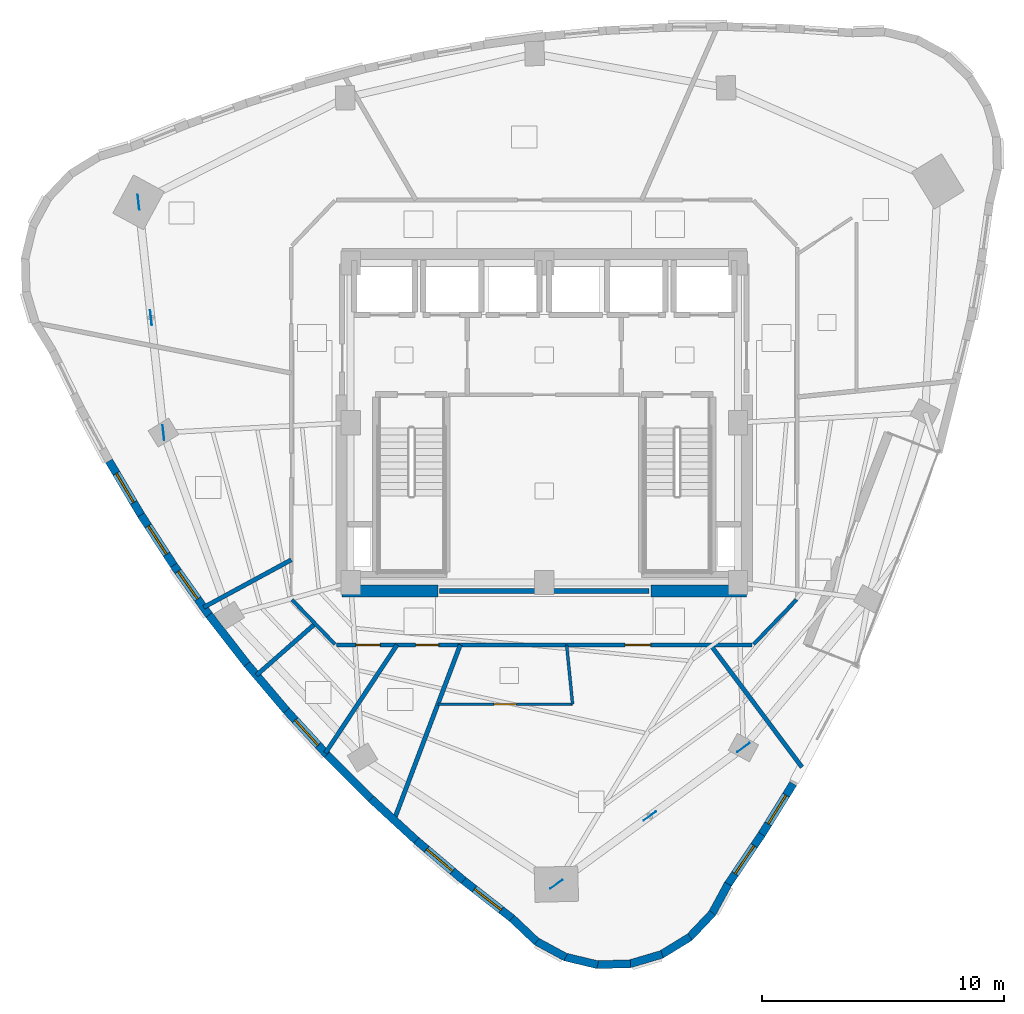
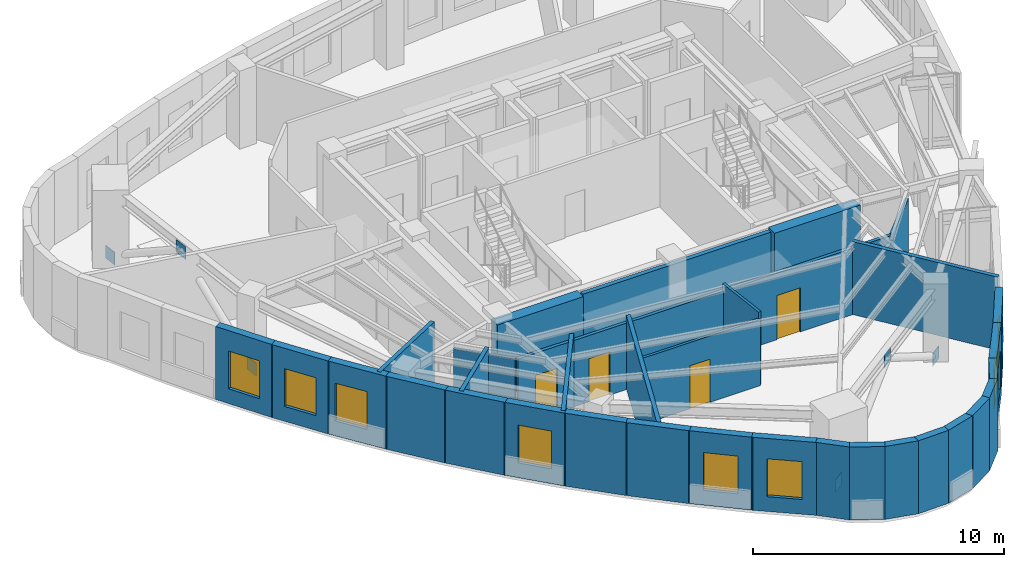
# One storey, part 4 of 10: 33 walls, 8 windows, 6 plates, 4 doors, 12 openings.
"""IFC4 building model written with IfcOpenShell, lengths in metres."""

from ifc_helpers import new_model, si_unit, direction, frame, frame_2d, origin, origin_2d, place, context, subcontext, project, spatial, rectangle, extrude, material, layer, layer_set, type_object, element, fill, save


model = new_model("IFC4")

# Units and contexts
model_context = context("Model", 3, precision=1e-05, world=origin(), true_north=direction((0.0, 1.0)))
body_context = subcontext(model_context, "Body", "Model", "MODEL_VIEW")
ifc_project = project(units=[si_unit("LENGTHUNIT", "METRE"), si_unit("AREAUNIT", "SQUARE_METRE"), si_unit("VOLUMEUNIT", "CUBIC_METRE"), si_unit("PLANEANGLEUNIT", "RADIAN"), si_unit("MASSUNIT", "GRAM", prefix="KILO")], contexts=[model_context])

# Site, building, storey
site_placement = place(None, origin())
site = spatial("IfcSite", under=ifc_project, at=site_placement, CompositionType="ELEMENT")
building_placement = place(site_placement, origin())
building = spatial("IfcBuilding", under=site, at=building_placement, Name="Ndelora Gate Hotel", CompositionType="ELEMENT")
storey_placement = place(building_placement, frame((0.0, 0.0, 243.550048828125)))
storey = spatial("IfcBuildingStorey", under=building, at=storey_placement, Name="L61", CompositionType="ELEMENT", Elevation=243.550048828125)

# Plates
ifc_material_1 = material(Name="Steel S355", Category="steel")
ifc_layer_1 = layer(ifc_material_1, 0.02001953125)
ifc_layer_set_1 = layer_set([ifc_layer_1], Name="Steel S355")
plate_type = type_object("IfcPlateType", Name="PL-NODE-VN1", PredefinedType="USERDEFINED", material=ifc_layer_set_1)
for number, where, z_axis, x_axis, name in (
    (1, (-16.759521484375, 9.099609375, -0.2900390625), (0.0, 0.0, 1.0), (-0.107652324982, 0.994188602291, 0.0), "Node gusset cap plate VN1"),
    (2, (-15.72998046875, -0.411865234375, -0.2900390625), (0.0, 0.0, 1.0), (-0.107652324982, 0.994188602291, 0.0), "Node gusset cap plate VN1"),
    (3, (-16.24462890625, 4.343994140625, 2.68994140625), (0.0, 0.0, 1.0), (-0.107652324982, 0.994188602291, 0.0), "Node gusset cap plate VN1"),
    (4, (0.499267578125, -19.064208984375, -0.2900390625), (0.0, 0.0, 1.0), (0.807475405485, 0.589901237104, 0.0), "Node gusset cap plate VN1"),
    (5, (8.223876953125, -13.419921875, -0.2900390625), (0.0, 0.0, 1.0), (0.807475405485, 0.589901237104, 0.0), "Node gusset cap plate VN1"),
    (6, (4.361572265625, -16.241943359375, 2.68994140625), (0.0, 0.0, 1.0), (0.807475405485, 0.589901237104, 0.0), "Node gusset cap plate VN1"),
):
    element("IfcPlate", number, at=place(storey_placement, frame(where, z_axis=z_axis, x_axis=x_axis)), inside=storey, type_object=plate_type, Name=name, ObjectType="GUSSET_PLATE", PredefinedType="USERDEFINED", context=body_context, shape_type="SweptSolid", body=[
        extrude(rectangle(XDim=0.6201171875, YDim=0.02001953125, at=origin_2d()), origin(), (0.0, 0.0, 1.0), 0.6201171875),
    ])

# Walls
ifc_material_2 = material(Name="Acoustic Double-Stud Gypsum Assembly", Category="gypsum")
ifc_layer_2 = layer(ifc_material_2, 0.179931640625)
ifc_layer_set_2 = layer_set([ifc_layer_2], Name="Acoustic Double-Stud Gypsum Assembly")
wall_type_1 = type_object("IfcWallType", Name="WL-ACOUST-180", PredefinedType="PARTITIONING", material=ifc_layer_set_2)
wall_1_placement = place(storey_placement, frame((-3.470458984375, -9.179931640625, 0.0), z_axis=(0.0, 0.0, 1.0), x_axis=(-0.353618010817, -0.935389919994, 0.0)))
element("IfcWall", 7, at=wall_1_placement, inside=storey, type_object=wall_type_1, Name="L61 Interior Wall IW-3", PredefinedType="PARTITIONING", context=body_context, shape_type="SweptSolid", body=[
    extrude(rectangle(XDim=7.72900390625, YDim=0.179931640625, at=frame_2d((3.864501953125, 0.0))), origin(), (0.0, 0.0, 1.0), 3.550048828125),
])
wall_2_placement = place(storey_placement, frame((6.866943359375, -9.179931640625, 0.0), z_axis=(0.0, 0.0, 1.0), x_axis=(0.598983265995, -0.800761541945, 0.0)))
element("IfcWall", 8, at=wall_2_placement, inside=storey, type_object=wall_type_1, Name="L61 Interior Wall IW-3", PredefinedType="PARTITIONING", context=body_context, shape_type="SweptSolid", body=[
    extrude(rectangle(XDim=6.3037109375, YDim=0.179931640625, at=frame_2d((3.15185546875, 0.0))), origin(), (0.0, 0.0, 1.0), 3.550048828125),
])
wall_3_placement = place(storey_placement, frame((-10.449951171875, -5.665283203125, 0.0), z_axis=(0.0, 0.0, 1.0), x_axis=(-0.879154356789, -0.476537109718, 0.0)))
element("IfcWall", 9, at=wall_3_placement, inside=storey, type_object=wall_type_1, Name="L61 Interior Wall IW-3", PredefinedType="PARTITIONING", context=body_context, shape_type="SweptSolid", body=[
    extrude(rectangle(XDim=4.11865234375, YDim=0.179931640625, at=frame_2d((2.059326171875, 0.0))), origin(), (0.0, 0.0, 1.0), 3.550048828125),
])
wall_4_placement = place(storey_placement, frame((-9.464111328125, -8.3037109375, 0.0), z_axis=(0.0, 0.0, 1.0), x_axis=(-0.751698496635, -0.659506914411, 0.0)))
element("IfcWall", 10, at=wall_4_placement, inside=storey, type_object=wall_type_1, Name="L61 Interior Wall IW-3", PredefinedType="PARTITIONING", context=body_context, shape_type="SweptSolid", body=[
    extrude(rectangle(XDim=3.222900390625, YDim=0.179931640625, at=frame_2d((1.611328125, 0.0))), origin(), (0.0, 0.0, 1.0), 3.550048828125),
])
wall_5_placement = place(storey_placement, frame((-6.081787109375, -9.179931640625, 0.0), z_axis=(0.0, 0.0, 1.0), x_axis=(-0.552266974528, -0.833667313048, 0.0)))
element("IfcWall", 11, at=wall_5_placement, inside=storey, type_object=wall_type_1, Name="L61 Interior Wall IW-3", PredefinedType="PARTITIONING", context=body_context, shape_type="SweptSolid", body=[
    extrude(rectangle(XDim=5.35400390625, YDim=0.179931640625, at=frame_2d((2.677001953125, 0.0))), origin(), (0.0, 0.0, 1.0), 3.550048828125),
])

# Wall, opening, window
ifc_material_3 = material(Name="Clay Brick Masonry", Category="masonry")
ifc_layer_3 = layer(ifc_material_3, 0.330078125)
ifc_layer_set_3 = layer_set([ifc_layer_3], Name="Clay Brick Masonry")
wall_type_2 = type_object("IfcWallType", Name="WL-BRICK-330", PredefinedType="SOLIDWALL", material=ifc_layer_set_3)
wall_6_placement = place(storey_placement, frame((-16.6572265625, -3.809814453125, 0.0), z_axis=(0.0, 0.0, 1.0), x_axis=(-0.509737856677, 0.860329772512, 0.0)))
wall_6 = element("IfcWall", 12, at=wall_6_placement, inside=storey, type_object=wall_type_2, Name="L61 Tower Brick Pier-and-Spandrel Wall TWR-11", PredefinedType="SOLIDWALL", context=body_context, shape_type="SweptSolid", body=[
    extrude(rectangle(XDim=2.592529296875, YDim=0.330078125, at=frame_2d((1.29638671875, 0.0))), origin(), (0.0, 0.0, 1.0), 3.550048828125),
])
opening_1_placement = place(wall_6_placement, frame((0.59619140625, 0.0, 0.719970703125)))
opening_1 = element("IfcOpeningElement", 13, at=opening_1_placement, cuts=wall_6, Name="Opening W02", PredefinedType="OPENING", context=body_context, shape_type="SweptSolid", body=[
    extrude(rectangle(XDim=1.39990234375, YDim=1.840087890625, at=frame_2d((0.699951171875, 0.919921875))), frame((0.0, 0.175048828125, 0.0), z_axis=(0.0, -1.0, 0.0), x_axis=(1.0, 0.0, 0.0)), (0.0, 0.0, 1.0), 0.35009765625),
])
ifc_material_4 = material(Name="Insulated Low-E Double Glazing in Bronze Aluminium Frame", Category="aluminium")
window_type = type_object("IfcWindowType", Name="WN-DEEP-1400", PartitioningType="SINGLE_PANEL", PredefinedType="WINDOW", material=ifc_material_4)
window_1_placement = place(opening_1_placement, origin())
window_1 = element("IfcWindow", 14, at=window_1_placement, inside=storey, type_object=window_type, Name="L61 Deep-Set Brick-Pier Window W02", OverallHeight=1.840087890625, OverallWidth=1.39990234375, PartitioningType="SINGLE_PANEL", PredefinedType="WINDOW", context=body_context, shape_type="SweptSolid", body=[
    extrude(rectangle(XDim=1.39990234375, YDim=1.840087890625, at=frame_2d((0.699951171875, 0.919921875))), frame((0.0, 0.030029296875, 0.0), z_axis=(0.0, -1.0, 0.0), x_axis=(1.0, 0.0, 0.0)), (0.0, 0.0, 1.0), 0.06005859375),
])
fill(opening_1, window_1)

wall_7_placement = place(storey_placement, frame((-15.2783203125, -5.930419921875, 0.0), z_axis=(0.0, 0.0, 1.0), x_axis=(-0.544788727903, 0.838573337252, 0.0)))
wall_7 = element("IfcWall", 15, at=wall_7_placement, inside=storey, type_object=wall_type_2, Name="L61 Tower Brick Pier-and-Spandrel Wall TWR-12", PredefinedType="SOLIDWALL", context=body_context, shape_type="SweptSolid", body=[
    extrude(rectangle(XDim=2.57958984375, YDim=0.330078125, at=frame_2d((1.289794921875, 0.0))), origin(), (0.0, 0.0, 1.0), 3.550048828125),
])
opening_2_placement = place(wall_7_placement, frame((0.589599609375, 0.0, 0.719970703125)))
opening_2 = element("IfcOpeningElement", 16, at=opening_2_placement, cuts=wall_7, Name="Opening W02", PredefinedType="OPENING", context=body_context, shape_type="SweptSolid", body=[
    extrude(rectangle(XDim=1.39990234375, YDim=1.840087890625, at=frame_2d((0.699951171875, 0.919921875))), frame((0.0, 0.175048828125, 0.0), z_axis=(0.0, -1.0, 0.0), x_axis=(1.0, 0.0, 0.0)), (0.0, 0.0, 1.0), 0.35009765625),
])
window_2_placement = place(opening_2_placement, origin())
window_2 = element("IfcWindow", 17, at=window_2_placement, inside=storey, type_object=window_type, Name="L61 Deep-Set Brick-Pier Window W02", OverallHeight=1.840087890625, OverallWidth=1.39990234375, PartitioningType="SINGLE_PANEL", PredefinedType="WINDOW", context=body_context, shape_type="SweptSolid", body=[
    extrude(rectangle(XDim=1.39990234375, YDim=1.840087890625, at=frame_2d((0.699951171875, 0.919921875))), frame((0.0, 0.030029296875, 0.0), z_axis=(0.0, -1.0, 0.0), x_axis=(1.0, 0.0, 0.0)), (0.0, 0.0, 1.0), 0.06005859375),
])
fill(opening_2, window_2)

wall_8_placement = place(storey_placement, frame((-13.8173828125, -7.984375, 0.0), z_axis=(0.0, 0.0, 1.0), x_axis=(-0.579242009098, 0.815155626182, 0.0)))
wall_8 = element("IfcWall", 18, at=wall_8_placement, inside=storey, type_object=wall_type_2, Name="L61 Tower Brick Pier-and-Spandrel Wall TWR-13", PredefinedType="SOLIDWALL", context=body_context, shape_type="SweptSolid", body=[
    extrude(rectangle(XDim=2.570556640625, YDim=0.330078125, at=frame_2d((1.28515625, 0.0))), origin(), (0.0, 0.0, 1.0), 3.550048828125),
])
opening_3_placement = place(wall_8_placement, frame((0.860107421875, 0.0, 0.719970703125)))
opening_3 = element("IfcOpeningElement", 19, at=opening_3_placement, cuts=wall_8, Name="Opening W02", PredefinedType="OPENING", context=body_context, shape_type="SweptSolid", body=[
    extrude(rectangle(XDim=1.39990234375, YDim=1.840087890625, at=frame_2d((0.699951171875, 0.919921875))), frame((0.0, 0.175048828125, 0.0), z_axis=(0.0, -1.0, 0.0), x_axis=(1.0, 0.0, 0.0)), (0.0, 0.0, 1.0), 0.35009765625),
])
window_3_placement = place(opening_3_placement, origin())
window_3 = element("IfcWindow", 20, at=window_3_placement, inside=storey, type_object=window_type, Name="L61 Deep-Set Brick-Pier Window W02", OverallHeight=1.840087890625, OverallWidth=1.39990234375, PartitioningType="SINGLE_PANEL", PredefinedType="WINDOW", context=body_context, shape_type="SweptSolid", body=[
    extrude(rectangle(XDim=1.39990234375, YDim=1.840087890625, at=frame_2d((0.699951171875, 0.919921875))), frame((0.0, 0.030029296875, 0.0), z_axis=(0.0, -1.0, 0.0), x_axis=(1.0, 0.0, 0.0)), (0.0, 0.0, 1.0), 0.06005859375),
])
fill(opening_3, window_3)

# Walls
for number, where, z_axis, x_axis, name in (
    (21, (-12.274658203125, -9.971923828125, 0.0), (0.0, 0.0, 1.0), (-0.612859890166, 0.790191593872, 0.0), "L61 Tower Brick Pier-and-Spandrel Wall TWR-14"),
    (22, (-10.649658203125, -11.89306640625, 0.0), (0.0, 0.0, 1.0), (-0.645447364319, 0.763804752469, 0.0), "L61 Tower Brick Pier-and-Spandrel Wall TWR-15"),
):
    element("IfcWall", number, at=place(storey_placement, frame(where, z_axis=z_axis, x_axis=x_axis)), inside=storey, type_object=wall_type_2, Name=name, PredefinedType="SOLIDWALL", context=body_context, shape_type="SweptSolid", body=[
        extrude(rectangle(XDim=2.566162109375, YDim=0.330078125, at=frame_2d((1.283203125, 0.0))), origin(), (0.0, 0.0, 1.0), 3.550048828125),
    ])

# Wall, opening, window
wall_9_placement = place(storey_placement, frame((-8.94287109375, -13.74755859375, 0.0), z_axis=(0.0, 0.0, 1.0), x_axis=(-0.676850734721, 0.736120291059, 0.0)))
wall_9 = element("IfcWall", 23, at=wall_9_placement, inside=storey, type_object=wall_type_2, Name="L61 Tower Brick Pier-and-Spandrel Wall TWR-16", PredefinedType="SOLIDWALL", context=body_context, shape_type="SweptSolid", body=[
    extrude(rectangle(XDim=2.5703125, YDim=0.330078125, at=frame_2d((1.28515625, 0.0))), origin(), (0.0, 0.0, 1.0), 3.550048828125),
])
opening_4_placement = place(wall_9_placement, frame((0.585205078125, 0.0, 0.719970703125)))
opening_4 = element("IfcOpeningElement", 24, at=opening_4_placement, cuts=wall_9, Name="Opening W02", PredefinedType="OPENING", context=body_context, shape_type="SweptSolid", body=[
    extrude(rectangle(XDim=1.39990234375, YDim=1.840087890625, at=frame_2d((0.699951171875, 0.919921875))), frame((0.0, 0.175048828125, 0.0), z_axis=(0.0, -1.0, 0.0), x_axis=(1.0, 0.0, 0.0)), (0.0, 0.0, 1.0), 0.35009765625),
])
window_4_placement = place(opening_4_placement, origin())
window_4 = element("IfcWindow", 25, at=window_4_placement, inside=storey, type_object=window_type, Name="L61 Deep-Set Brick-Pier Window W02", OverallHeight=1.840087890625, OverallWidth=1.39990234375, PartitioningType="SINGLE_PANEL", PredefinedType="WINDOW", context=body_context, shape_type="SweptSolid", body=[
    extrude(rectangle(XDim=1.39990234375, YDim=1.840087890625, at=frame_2d((0.699951171875, 0.919921875))), frame((0.0, 0.030029296875, 0.0), z_axis=(0.0, -1.0, 0.0), x_axis=(1.0, 0.0, 0.0)), (0.0, 0.0, 1.0), 0.06005859375),
])
fill(opening_4, window_4)

# Walls
wall_10_placement = place(storey_placement, frame((-7.15380859375, -15.535888671875, 0.0), z_axis=(0.0, 0.0, 1.0), x_axis=(-0.706917462112, 0.707296049587, 0.0)))
element("IfcWall", 26, at=wall_10_placement, inside=storey, type_object=wall_type_2, Name="L61 Tower Brick Pier-and-Spandrel Wall TWR-17", PredefinedType="SOLIDWALL", context=body_context, shape_type="SweptSolid", body=[
    extrude(rectangle(XDim=2.57958984375, YDim=0.330078125, at=frame_2d((1.289794921875, 0.0))), origin(), (0.0, 0.0, 1.0), 3.550048828125),
])
wall_11_placement = place(storey_placement, frame((-5.282958984375, -17.257568359375, 0.0), z_axis=(0.0, 0.0, 1.0), x_axis=(-0.735561158646, 0.677458324837, 0.0)))
element("IfcWall", 27, at=wall_11_placement, inside=storey, type_object=wall_type_2, Name="L61 Tower Brick Pier-and-Spandrel Wall TWR-18", PredefinedType="SOLIDWALL", context=body_context, shape_type="SweptSolid", body=[
    extrude(rectangle(XDim=2.592529296875, YDim=0.330078125, at=frame_2d((1.29638671875, 0.0))), origin(), (0.0, 0.0, 1.0), 3.550048828125),
])

# Wall, opening, window
wall_12_placement = place(storey_placement, frame((-3.329833984375, -18.912841796875, 0.0), z_axis=(0.0, 0.0, 1.0), x_axis=(-0.762587433163, 0.646885157336, 0.0)))
wall_12 = element("IfcWall", 28, at=wall_12_placement, inside=storey, type_object=wall_type_2, Name="L61 Tower Brick Pier-and-Spandrel Wall TWR-19", PredefinedType="SOLIDWALL", context=body_context, shape_type="SweptSolid", body=[
    extrude(rectangle(XDim=2.610107421875, YDim=0.330078125, at=frame_2d((1.30517578125, 0.0))), origin(), (0.0, 0.0, 1.0), 3.550048828125),
])
opening_5_placement = place(wall_12_placement, frame((0.60498046875, 0.0, 0.719970703125)))
opening_5 = element("IfcOpeningElement", 29, at=opening_5_placement, cuts=wall_12, Name="Opening W02", PredefinedType="OPENING", context=body_context, shape_type="SweptSolid", body=[
    extrude(rectangle(XDim=1.39990234375, YDim=1.840087890625, at=frame_2d((0.699951171875, 0.919921875))), frame((0.0, 0.175048828125, 0.0), z_axis=(0.0, -1.0, 0.0), x_axis=(1.0, 0.0, 0.0)), (0.0, 0.0, 1.0), 0.35009765625),
])
window_5_placement = place(opening_5_placement, origin())
window_5 = element("IfcWindow", 30, at=window_5_placement, inside=storey, type_object=window_type, Name="L61 Deep-Set Brick-Pier Window W02", OverallHeight=1.840087890625, OverallWidth=1.39990234375, PartitioningType="SINGLE_PANEL", PredefinedType="WINDOW", context=body_context, shape_type="SweptSolid", body=[
    extrude(rectangle(XDim=1.39990234375, YDim=1.840087890625, at=frame_2d((0.699951171875, 0.919921875))), frame((0.0, 0.030029296875, 0.0), z_axis=(0.0, -1.0, 0.0), x_axis=(1.0, 0.0, 0.0)), (0.0, 0.0, 1.0), 0.06005859375),
])
fill(opening_5, window_5)

wall_13_placement = place(storey_placement, frame((-1.295166015625, -20.501708984375, 0.0), z_axis=(0.0, 0.0, 1.0), x_axis=(-0.787896368853, 0.615807853108, 0.0)))
wall_13 = element("IfcWall", 31, at=wall_13_placement, inside=storey, type_object=wall_type_2, Name="L61 Tower Brick Pier-and-Spandrel Wall TWR-20", PredefinedType="SOLIDWALL", context=body_context, shape_type="SweptSolid", body=[
    extrude(rectangle(XDim=2.631591796875, YDim=0.330078125, at=frame_2d((1.31591796875, 0.0))), origin(), (0.0, 0.0, 1.0), 3.550048828125),
])
opening_6_placement = place(wall_13_placement, frame((0.61572265625, 0.0, 0.719970703125)))
opening_6 = element("IfcOpeningElement", 32, at=opening_6_placement, cuts=wall_13, Name="Opening W02", PredefinedType="OPENING", context=body_context, shape_type="SweptSolid", body=[
    extrude(rectangle(XDim=1.39990234375, YDim=1.840087890625, at=frame_2d((0.699951171875, 0.919921875))), frame((0.0, 0.175048828125, 0.0), z_axis=(0.0, -1.0, 0.0), x_axis=(1.0, 0.0, 0.0)), (0.0, 0.0, 1.0), 0.35009765625),
])
window_6_placement = place(opening_6_placement, origin())
window_6 = element("IfcWindow", 33, at=window_6_placement, inside=storey, type_object=window_type, Name="L61 Deep-Set Brick-Pier Window W02", OverallHeight=1.840087890625, OverallWidth=1.39990234375, PartitioningType="SINGLE_PANEL", PredefinedType="WINDOW", context=body_context, shape_type="SweptSolid", body=[
    extrude(rectangle(XDim=1.39990234375, YDim=1.840087890625, at=frame_2d((0.699951171875, 0.919921875))), frame((0.0, 0.030029296875, 0.0), z_axis=(0.0, -1.0, 0.0), x_axis=(1.0, 0.0, 0.0)), (0.0, 0.0, 1.0), 0.06005859375),
])
fill(opening_6, window_6)

# Walls
for number, where, z_axis, x_axis, name in (
    (34, (-0.31201171875, -21.437744140625, 0.0), (0.0, 0.0, 1.0), (-0.725423722687, 0.688302566146, 0.0), "L61 Tower Brick Pier-and-Spandrel Wall TWR-21"),
    (35, (0.885009765625, -22.080078125, 0.0), (0.0, 0.0, 1.0), (-0.8789012206, 0.47700382014, 0.0), "L61 Tower Brick Pier-and-Spandrel Wall TWR-22"),
):
    element("IfcWall", number, at=place(storey_placement, frame(where, z_axis=z_axis, x_axis=x_axis)), inside=storey, type_object=wall_type_2, Name=name, PredefinedType="SOLIDWALL", context=body_context, shape_type="SweptSolid", body=[
        extrude(rectangle(XDim=1.407470703125, YDim=0.330078125, at=frame_2d((0.70361328125, 0.0))), origin(), (0.0, 0.0, 1.0), 3.550048828125),
    ])
wall_14_placement = place(storey_placement, frame((2.20703125, -22.39111328125, 0.0), z_axis=(0.0, 0.0, 1.0), x_axis=(-0.972355799013, 0.23350417582, 0.0)))
element("IfcWall", 36, at=wall_14_placement, inside=storey, type_object=wall_type_2, Name="L61 Tower Brick Pier-and-Spandrel Wall TWR-23", PredefinedType="SOLIDWALL", context=body_context, shape_type="SweptSolid", body=[
    extrude(rectangle(XDim=1.4072265625, YDim=0.330078125, at=frame_2d((0.70361328125, 0.0))), origin(), (0.0, 0.0, 1.0), 3.550048828125),
])
for number, where, z_axis, x_axis, name in (
    (37, (3.564697265625, -22.34912109375, 0.0), (0.0, 0.0, 1.0), (-0.999656913907, -0.02619264168, 0.0), "L61 Tower Brick Pier-and-Spandrel Wall TWR-24"),
    (38, (4.865478515625, -21.95703125, 0.0), (0.0, 0.0, 1.0), (-0.95884184708, -0.283940684455, 0.0), "L61 Tower Brick Pier-and-Spandrel Wall TWR-25"),
):
    element("IfcWall", number, at=place(storey_placement, frame(where, z_axis=z_axis, x_axis=x_axis)), inside=storey, type_object=wall_type_2, Name=name, PredefinedType="SOLIDWALL", context=body_context, shape_type="SweptSolid", body=[
        extrude(rectangle(XDim=1.407470703125, YDim=0.330078125, at=frame_2d((0.70361328125, 0.0))), origin(), (0.0, 0.0, 1.0), 3.550048828125),
    ])
wall_15_placement = place(storey_placement, frame((6.020263671875, -21.24169921875, 0.0), z_axis=(0.0, 0.0, 1.0), x_axis=(-0.852603745029, -0.522557991004, 0.0)))
element("IfcWall", 39, at=wall_15_placement, inside=storey, type_object=wall_type_2, Name="L61 Tower Brick Pier-and-Spandrel Wall TWR-26", PredefinedType="SOLIDWALL", context=body_context, shape_type="SweptSolid", body=[
    extrude(rectangle(XDim=1.40771484375, YDim=0.330078125, at=frame_2d((0.703857421875, 0.0))), origin(), (0.0, 0.0, 1.0), 3.550048828125),
])
wall_16_placement = place(storey_placement, frame((6.950439453125, -20.252197265625, 0.0), z_axis=(0.0, 0.0, 1.0), x_axis=(-0.688389184298, -0.725341527104, 0.0)))
element("IfcWall", 40, at=wall_16_placement, inside=storey, type_object=wall_type_2, Name="L61 Tower Brick Pier-and-Spandrel Wall TWR-27", PredefinedType="SOLIDWALL", context=body_context, shape_type="SweptSolid", body=[
    extrude(rectangle(XDim=1.4072265625, YDim=0.330078125, at=frame_2d((0.70361328125, 0.0))), origin(), (0.0, 0.0, 1.0), 3.550048828125),
])
wall_17_placement = place(storey_placement, frame((7.593017578125, -19.05517578125, 0.0), z_axis=(0.0, 0.0, 1.0), x_axis=(-0.477137792558, -0.878828496871, 0.0)))
element("IfcWall", 41, at=wall_17_placement, inside=storey, type_object=wall_type_2, Name="L61 Tower Brick Pier-and-Spandrel Wall TWR-28", PredefinedType="SOLIDWALL", context=body_context, shape_type="SweptSolid", body=[
    extrude(rectangle(XDim=1.40771484375, YDim=0.330078125, at=frame_2d((0.703857421875, 0.0))), origin(), (0.0, 0.0, 1.0), 3.550048828125),
])

# Wall, opening, window
wall_18_placement = place(storey_placement, frame((8.982666015625, -17.00244140625, 0.0), z_axis=(0.0, 0.0, 1.0), x_axis=(-0.559835914703, -0.828603492998, 0.0)))
wall_18 = element("IfcWall", 42, at=wall_18_placement, inside=storey, type_object=wall_type_2, Name="L61 Tower Brick Pier-and-Spandrel Wall TWR-29", PredefinedType="SOLIDWALL", context=body_context, shape_type="SweptSolid", body=[
    extrude(rectangle(XDim=2.52880859375, YDim=0.330078125, at=frame_2d((1.264404296875, 0.0))), origin(), (0.0, 0.0, 1.0), 3.550048828125),
])
opening_7_placement = place(wall_18_placement, frame((0.564453125, 0.0, 0.719970703125)))
opening_7 = element("IfcOpeningElement", 43, at=opening_7_placement, cuts=wall_18, Name="Opening W02", PredefinedType="OPENING", context=body_context, shape_type="SweptSolid", body=[
    extrude(rectangle(XDim=1.39990234375, YDim=1.840087890625, at=frame_2d((0.699951171875, 0.919921875))), frame((0.0, 0.175048828125, 0.0), z_axis=(0.0, -1.0, 0.0), x_axis=(1.0, 0.0, 0.0)), (0.0, 0.0, 1.0), 0.35009765625),
])
window_7_placement = place(opening_7_placement, origin())
window_7 = element("IfcWindow", 44, at=window_7_placement, inside=storey, type_object=window_type, Name="L61 Deep-Set Brick-Pier Window W02", OverallHeight=1.840087890625, OverallWidth=1.39990234375, PartitioningType="SINGLE_PANEL", PredefinedType="WINDOW", context=body_context, shape_type="SweptSolid", body=[
    extrude(rectangle(XDim=1.39990234375, YDim=1.840087890625, at=frame_2d((0.699951171875, 0.919921875))), frame((0.0, 0.030029296875, 0.0), z_axis=(0.0, -1.0, 0.0), x_axis=(1.0, 0.0, 0.0)), (0.0, 0.0, 1.0), 0.06005859375),
])
fill(opening_7, window_7)

wall_19_placement = place(storey_placement, frame((10.27880859375, -14.9130859375, 0.0), z_axis=(0.0, 0.0, 1.0), x_axis=(-0.527573608848, -0.84950932146, 0.0)))
wall_19 = element("IfcWall", 45, at=wall_19_placement, inside=storey, type_object=wall_type_2, Name="L61 Tower Brick Pier-and-Spandrel Wall TWR-30", PredefinedType="SOLIDWALL", context=body_context, shape_type="SweptSolid", body=[
    extrude(rectangle(XDim=2.508544921875, YDim=0.330078125, at=frame_2d((1.25439453125, 0.0))), origin(), (0.0, 0.0, 1.0), 3.550048828125),
])
opening_8_placement = place(wall_19_placement, frame((0.554443359375, 0.0, 0.719970703125)))
opening_8 = element("IfcOpeningElement", 46, at=opening_8_placement, cuts=wall_19, Name="Opening W02", PredefinedType="OPENING", context=body_context, shape_type="SweptSolid", body=[
    extrude(rectangle(XDim=1.39990234375, YDim=1.840087890625, at=frame_2d((0.699951171875, 0.919921875))), frame((0.0, 0.175048828125, 0.0), z_axis=(0.0, -1.0, 0.0), x_axis=(1.0, 0.0, 0.0)), (0.0, 0.0, 1.0), 0.35009765625),
])
window_8_placement = place(opening_8_placement, origin())
window_8 = element("IfcWindow", 47, at=window_8_placement, inside=storey, type_object=window_type, Name="L61 Deep-Set Brick-Pier Window W02", OverallHeight=1.840087890625, OverallWidth=1.39990234375, PartitioningType="SINGLE_PANEL", PredefinedType="WINDOW", context=body_context, shape_type="SweptSolid", body=[
    extrude(rectangle(XDim=1.39990234375, YDim=1.840087890625, at=frame_2d((0.699951171875, 0.919921875))), frame((0.0, 0.030029296875, 0.0), z_axis=(0.0, -1.0, 0.0), x_axis=(1.0, 0.0, 0.0)), (0.0, 0.0, 1.0), 0.06005859375),
])
fill(opening_8, window_8)

# Walls
ifc_material_5 = material(Name="Concrete C50/60", Category="concrete")
ifc_layer_4 = layer(ifc_material_5, 0.5)
ifc_layer_set_4 = layer_set([ifc_layer_4], Name="Concrete C50/60")
wall_type_3 = type_object("IfcWallType", Name="WL-CORE-500", PredefinedType="SHEAR", material=ifc_layer_set_4)
for number, where, z_axis, x_axis, name in (
    (48, (-8.35009765625, -6.949951171875, 0.0), (0.0, 0.0, 1.0), (1.0, 0.0, 0.0), "L61 Core Shear Wall S-W"),
    (49, (4.39990234375, -6.949951171875, 0.0), (0.0, 0.0, 1.0), (1.0, 0.0, 0.0), "L61 Core Shear Wall S-E"),
):
    element("IfcWall", number, at=place(storey_placement, frame(where, z_axis=z_axis, x_axis=x_axis)), inside=storey, type_object=wall_type_3, Name=name, PredefinedType="SHEAR", context=body_context, shape_type="SweptSolid", body=[
        extrude(rectangle(XDim=3.9501953125, YDim=0.5, at=frame_2d((1.97509765625, 0.0))), origin(), (0.0, 0.0, 1.0), 3.550048828125),
    ])
ifc_material_6 = material(Name="Concrete C40/50", Category="concrete")
ifc_layer_5 = layer(ifc_material_6, 0.199951171875)
ifc_layer_set_5 = layer_set([ifc_layer_5], Name="Concrete C40/50")
wall_type_4 = type_object("IfcWallType", Name="WL-FIRE-200", PredefinedType="PARTITIONING", material=ifc_layer_set_5)
wall_20_placement = place(storey_placement, frame((-4.320068359375, -6.949951171875, 0.0), z_axis=(0.0, 0.0, 1.0), x_axis=(1.0, 0.0, 0.0)))
element("IfcWall", 50, at=wall_20_placement, inside=storey, type_object=wall_type_4, Name="L61 Interior Wall IW-2", PredefinedType="PARTITIONING", context=body_context, shape_type="SweptSolid", body=[
    extrude(rectangle(XDim=8.64013671875, YDim=0.199951171875, at=frame_2d((4.320068359375, 0.0))), origin(), (0.0, 0.0, 1.0), 3.550048828125),
])

# Wall, openings, doors
ifc_material_7 = material(Name="Fire-Rated Gypsum Stud Partition", Category="gypsum")
ifc_layer_6 = layer(ifc_material_7, 0.14990234375)
ifc_layer_set_6 = layer_set([ifc_layer_6], Name="Fire-Rated Gypsum Stud Partition")
wall_type_5 = type_object("IfcWallType", Name="WL-PART-150", PredefinedType="PARTITIONING", material=ifc_layer_set_6)
wall_21_placement = place(storey_placement, frame((8.580078125, -9.179931640625, 0.0), z_axis=(0.0, 0.0, 1.0), x_axis=(-1.0, 0.0, 0.0)))
wall_21 = element("IfcWall", 51, at=wall_21_placement, inside=storey, type_object=wall_type_5, Name="L61 Interior Wall IW-5", PredefinedType="PARTITIONING", context=body_context, shape_type="SweptSolid", body=[
    extrude(rectangle(XDim=17.16015625, YDim=0.14990234375, at=frame_2d((8.580078125, 0.0))), origin(), (0.0, 0.0, 1.0), 3.22998046875),
])
opening_9_placement = place(wall_21_placement, frame((15.36083984375, 0.0, 0.0)))
opening_9 = element("IfcOpeningElement", 52, at=opening_9_placement, cuts=wall_21, Name="Opening D01", PredefinedType="OPENING", context=body_context, shape_type="SweptSolid", body=[
    extrude(rectangle(XDim=1.0, YDim=2.14990234375, at=frame_2d((0.5, 1.074951171875))), frame((0.0, 0.0849609375, 0.0), z_axis=(0.0, -1.0, 0.0), x_axis=(1.0, 0.0, 0.0)), (0.0, 0.0, 1.0), 0.169921875),
])
opening_10_placement = place(wall_21_placement, frame((12.947021484375, 0.0, 0.0)))
opening_10 = element("IfcOpeningElement", 53, at=opening_10_placement, cuts=wall_21, Name="Opening D05", PredefinedType="OPENING", context=body_context, shape_type="SweptSolid", body=[
    extrude(rectangle(XDim=0.949951171875, YDim=2.10009765625, at=frame_2d((0.47509765625, 1.050048828125))), frame((0.0, 0.0849609375, 0.0), z_axis=(0.0, -1.0, 0.0), x_axis=(1.0, 0.0, 0.0)), (0.0, 0.0, 1.0), 0.169921875),
])
opening_11_placement = place(wall_21_placement, frame((4.184326171875, 0.0, 0.0)))
opening_11 = element("IfcOpeningElement", 54, at=opening_11_placement, cuts=wall_21, Name="Opening D07", PredefinedType="OPENING", context=body_context, shape_type="SweptSolid", body=[
    extrude(rectangle(XDim=1.06005859375, YDim=2.14990234375, at=frame_2d((0.530029296875, 1.074951171875))), frame((0.0, 0.0849609375, 0.0), z_axis=(0.0, -1.0, 0.0), x_axis=(1.0, 0.0, 0.0)), (0.0, 0.0, 1.0), 0.169921875),
])
ifc_material_8 = material(Name="Accessible Restroom Wide-Clearance Door", Category="wood")
door_type_1 = type_object("IfcDoorType", Name="DR-ACC-950", OperationType="SINGLE_SWING_LEFT", PredefinedType="DOOR", material=ifc_material_8)
door_1_placement = place(opening_10_placement, origin())
door_1 = element("IfcDoor", 55, at=door_1_placement, inside=storey, type_object=door_type_1, Name="L61 Accessible WC Entrance Door", OperationType="SINGLE_SWING_RIGHT", OverallHeight=2.10009765625, OverallWidth=0.949951171875, PredefinedType="DOOR", context=body_context, shape_type="SweptSolid", body=[
    extrude(rectangle(XDim=0.949951171875, YDim=2.10009765625, at=frame_2d((0.47509765625, 1.050048828125))), frame((0.0, 0.02490234375, 0.0), z_axis=(0.0, -1.0, 0.0), x_axis=(1.0, 0.0, 0.0)), (0.0, 0.0, 1.0), 0.050048828125),
])
fill(opening_10, door_1)
ifc_material_9 = material(Name="Acoustic Hardwood Guest Entrance Door", Category="wood")
door_type_2 = type_object("IfcDoorType", Name="DR-COR-1000", OperationType="SINGLE_SWING_LEFT", PredefinedType="DOOR", material=ifc_material_9)
door_2_placement = place(opening_9_placement, origin())
door_2 = element("IfcDoor", 56, at=door_2_placement, inside=storey, type_object=door_type_2, Name="L61 Housekeeping and Linen Room Entrance Door", OperationType="SINGLE_SWING_LEFT", OverallHeight=2.14990234375, OverallWidth=1.0, PredefinedType="DOOR", context=body_context, shape_type="SweptSolid", body=[
    extrude(rectangle(XDim=1.0, YDim=2.14990234375, at=frame_2d((0.5, 1.074951171875))), frame((0.0, 0.02490234375, 0.0), z_axis=(0.0, -1.0, 0.0), x_axis=(1.0, 0.0, 0.0)), (0.0, 0.0, 1.0), 0.050048828125),
])
fill(opening_9, door_2)
ifc_material_10 = material(Name="Diplomatic Suite Acoustic Entrance Door", Category="wood")
door_type_3 = type_object("IfcDoorType", Name="DR-SUITE-1060", OperationType="SINGLE_SWING_LEFT", PredefinedType="DOOR", material=ifc_material_10)
door_3_placement = place(opening_11_placement, origin())
door_3 = element("IfcDoor", 57, at=door_3_placement, inside=storey, type_object=door_type_3, Name="L61 Grand Highland Presidential Suite 6401 Entrance Door", OperationType="SINGLE_SWING_RIGHT", OverallHeight=2.14990234375, OverallWidth=1.06005859375, PredefinedType="DOOR", context=body_context, shape_type="SweptSolid", body=[
    extrude(rectangle(XDim=1.06005859375, YDim=2.14990234375, at=frame_2d((0.530029296875, 1.074951171875))), frame((0.0, 0.02490234375, 0.0), z_axis=(0.0, -1.0, 0.0), x_axis=(1.0, 0.0, 0.0)), (0.0, 0.0, 1.0), 0.050048828125),
])
fill(opening_11, door_3)

# Walls
for number, where, z_axis, x_axis, name in (
    (58, (10.42236328125, -7.308837890625, 0.0), (0.0, 0.0, 1.0), (-0.693764562202, -0.720201869085, 0.0), "L61 Interior Wall IW-5"),
    (59, (-8.647705078125, -9.151123046875, 0.0), (0.0, 0.0, 1.0), (-0.693764562202, 0.720201869085, 0.0), "L61 Interior Wall IW-5"),
):
    element("IfcWall", number, at=place(storey_placement, frame(where, z_axis=z_axis, x_axis=x_axis)), inside=storey, type_object=wall_type_5, Name=name, PredefinedType="PARTITIONING", context=body_context, shape_type="SweptSolid", body=[
        extrude(rectangle(XDim=2.55810546875, YDim=0.14990234375, at=frame_2d((1.279052734375, 0.0))), origin(), (0.0, 0.0, 1.0), 3.22998046875),
    ])
ifc_material_11 = material(Name="Moisture-Resistant Bathroom Tile Partition", Category="gypsum")
ifc_layer_7 = layer(ifc_material_11, 0.1201171875)
ifc_layer_set_7 = layer_set([ifc_layer_7], Name="Moisture-Resistant Bathroom Tile Partition")
wall_type_6 = type_object("IfcWallType", Name="WL-WET-120", PredefinedType="PARTITIONING", material=ifc_layer_set_7)
wall_22_placement = place(storey_placement, frame((0.923583984375, -9.179931640625, 0.0), z_axis=(0.0, 0.0, 1.0), x_axis=(0.100043637061, -0.99498305045, 0.0)))
element("IfcWall", 60, at=wall_22_placement, inside=storey, type_object=wall_type_6, Name="L61 Interior Wall IW-7", PredefinedType="PARTITIONING", context=body_context, shape_type="SweptSolid", body=[
    extrude(rectangle(XDim=2.46240234375, YDim=0.1201171875, at=frame_2d((1.231201171875, 0.0))), origin(), (0.0, 0.0, 1.0), 3.550048828125),
])

# Wall, opening, door
wall_23_placement = place(storey_placement, frame((1.169921875, -11.6298828125, 0.0), z_axis=(0.0, 0.0, 1.0), x_axis=(-1.0, 0.0, 0.0)))
wall_23 = element("IfcWall", 61, at=wall_23_placement, inside=storey, type_object=wall_type_6, Name="L61 Interior Wall IW-7", PredefinedType="PARTITIONING", context=body_context, shape_type="SweptSolid", body=[
    extrude(rectangle(XDim=5.56640625, YDim=0.1201171875, at=frame_2d((2.783203125, 0.0))), origin(), (0.0, 0.0, 1.0), 3.22998046875),
])
opening_12_placement = place(wall_23_placement, frame((2.3232421875, 0.0, 0.0)))
opening_12 = element("IfcOpeningElement", 62, at=opening_12_placement, cuts=wall_23, Name="Opening D03", PredefinedType="OPENING", context=body_context, shape_type="SweptSolid", body=[
    extrude(rectangle(XDim=0.919921875, YDim=2.10009765625, at=frame_2d((0.4599609375, 1.050048828125))), frame((0.0, 0.070068359375, 0.0), z_axis=(0.0, -1.0, 0.0), x_axis=(1.0, 0.0, 0.0)), (0.0, 0.0, 1.0), 0.14013671875),
])
ifc_material_12 = material(Name="Moisture-Resistant Hardwood En-Suite Door", Category="wood")
door_type_4 = type_object("IfcDoorType", Name="DR-BATH-920", OperationType="SINGLE_SWING_LEFT", PredefinedType="DOOR", material=ifc_material_12)
door_4_placement = place(opening_12_placement, origin())
door_4 = element("IfcDoor", 63, at=door_4_placement, inside=storey, type_object=door_type_4, Name="L61 En-suite Bathroom 6401 Door", OperationType="SINGLE_SWING_RIGHT", OverallHeight=2.10009765625, OverallWidth=0.919921875, PredefinedType="DOOR", context=body_context, shape_type="SweptSolid", body=[
    extrude(rectangle(XDim=0.919921875, YDim=2.10009765625, at=frame_2d((0.4599609375, 1.050048828125))), frame((0.0, 0.02490234375, 0.0), z_axis=(0.0, -1.0, 0.0), x_axis=(1.0, 0.0, 0.0)), (0.0, 0.0, 1.0), 0.050048828125),
])
fill(opening_12, door_4)

save(model, "model.ifc")
